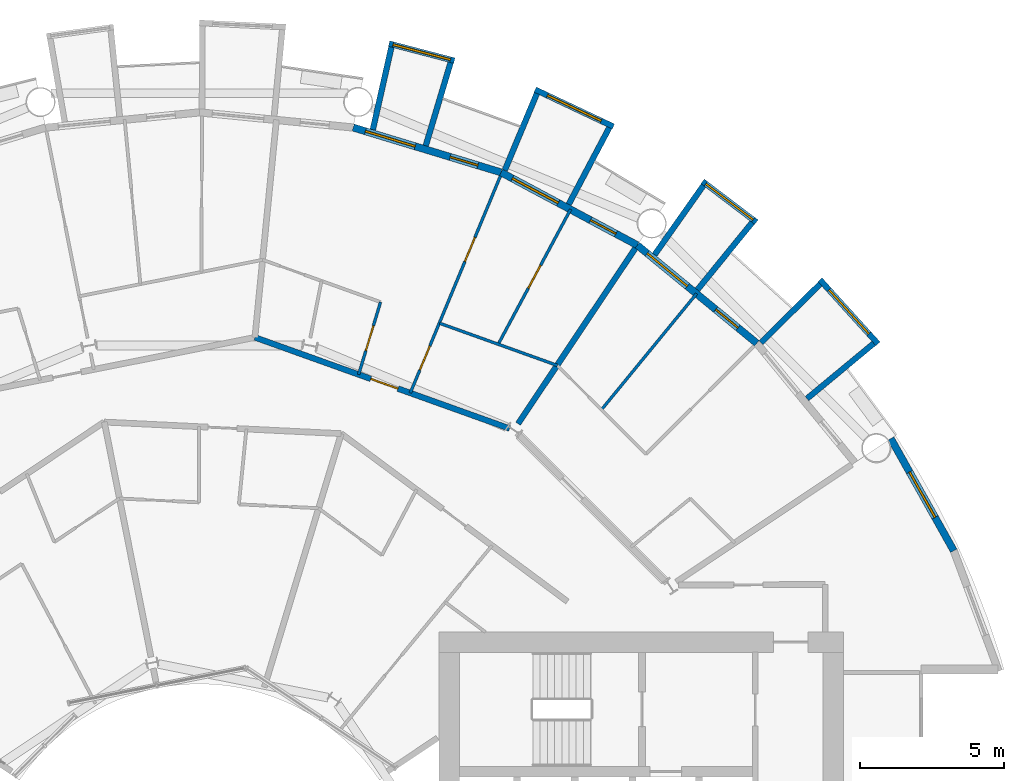
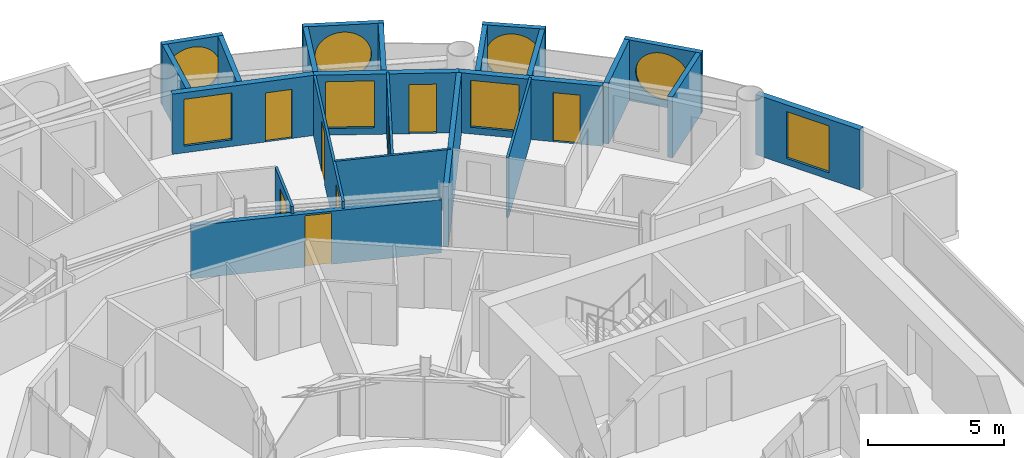
# One storey, part 22 of 26: 23 walls, 8 doors, 8 windows, 16 openings.
"""IFC4 building model written with IfcOpenShell, lengths in metres."""

from ifc_helpers import new_model, si_unit, direction, frame, frame_2d, origin, place, context, subcontext, project, spatial, rectangle, circle, extrude, material, layer, layer_set, type_object, element, fill, save


model = new_model("IFC4")

# Units and contexts
model_context = context("Model", 3, precision=1e-05, world=origin(), true_north=direction((0.0, 1.0)))
body_context = subcontext(model_context, "Body", "Model", "MODEL_VIEW")
ifc_project = project(units=[si_unit("LENGTHUNIT", "METRE"), si_unit("AREAUNIT", "SQUARE_METRE"), si_unit("VOLUMEUNIT", "CUBIC_METRE"), si_unit("PLANEANGLEUNIT", "RADIAN"), si_unit("MASSUNIT", "GRAM", prefix="KILO")], contexts=[model_context])

# Site, building, storey
site_placement = place(None, origin())
site = spatial("IfcSite", under=ifc_project, at=site_placement, CompositionType="ELEMENT")
building_placement = place(site_placement, origin())
building = spatial("IfcBuilding", under=site, at=building_placement, Name="Maasbend Ring Residences", CompositionType="ELEMENT")
storey_placement = place(building_placement, frame((0.0, 0.0, 66.64990234375)))
storey = spatial("IfcBuildingStorey", under=building, at=storey_placement, Name="L18", CompositionType="ELEMENT", Elevation=66.64990234375)

# Wall, opening, door
ifc_material_1 = material(Name="Concrete C30/37", Category="concrete")
ifc_layer_1 = layer(ifc_material_1, 0.199951171875)
ifc_layer_set_1 = layer_set([ifc_layer_1], Name="Concrete C30/37")
wall_type_1 = type_object("IfcWallType", Name="CORRIDOR WALL 200 CONCRETE", PredefinedType="PARTITIONING", material=ifc_layer_set_1)
wall_1_placement = place(storey_placement, frame((1.924072265625, 19.5048828125, 0.0), z_axis=(0.0, 0.0, 1.0), x_axis=(0.941497449807, -0.337020106237, 0.0)))
wall_1 = element("IfcWall", 1, at=wall_1_placement, inside=storey, type_object=wall_type_1, Name="U-L18-w106", PredefinedType="PARTITIONING", context=body_context, shape_type="SweptSolid", body=[
    extrude(rectangle(XDim=9.36376953125, YDim=0.199951171875, at=frame_2d((4.681884765625, 0.0))), origin(), (0.0, 0.0, 1.0), 2.380126953125),
])
opening_1_placement = place(wall_1_placement, frame((4.259033203125, 0.0, 0.0)))
opening_1 = element("IfcOpeningElement", 2, at=opening_1_placement, cuts=wall_1, Name="Opening D-1805", PredefinedType="OPENING", context=body_context, shape_type="SweptSolid", body=[
    extrude(rectangle(XDim=1.0, YDim=2.300048828125, at=frame_2d((0.5, 1.14990234375))), frame((0.0, 0.10986328125, 0.0), z_axis=(0.0, -1.0, 0.0), x_axis=(1.0, 0.0, 0.0)), (0.0, 0.0, 1.0), 0.219970703125),
])
ifc_material_2 = material(Name="Timber, fire-rated, painted", Category="wood")
door_type_1 = type_object("IfcDoorType", Name="FLAT ENTRANCE DOOR 1000 X 2300 FIRE-RATED", OperationType="NOTDEFINED", PredefinedType="DOOR", material=ifc_material_2)
door_1_placement = place(opening_1_placement, origin())
door_1 = element("IfcDoor", 3, at=door_1_placement, inside=storey, type_object=door_type_1, Name="D-1805", OperationType="SINGLE_SWING_RIGHT", OverallHeight=2.300048828125, OverallWidth=1.0, PredefinedType="DOOR", context=body_context, shape_type="SweptSolid", body=[
    extrude(rectangle(XDim=1.0, YDim=2.300048828125, at=frame_2d((0.5, 1.14990234375))), frame((0.0, 0.02490234375, 0.0), z_axis=(0.0, -1.0, 0.0), x_axis=(1.0, 0.0, 0.0)), (0.0, 0.0, 1.0), 0.050048828125),
])
fill(opening_1, door_1)

# Wall, opening, window
ifc_material_3 = material(Name="Pale anodised aluminium panel", Category="aluminium")
ifc_layer_2 = layer(ifc_material_3, 0.199951171875)
ifc_layer_set_2 = layer_set([ifc_layer_2], Name="EW-BOX")
wall_type_2 = type_object("IfcWallType", Name="EW-BOX", PredefinedType="SOLIDWALL", material=ifc_layer_set_2)
wall_2_placement = place(storey_placement, frame((23.5029296875, 19.281982421875, -0.02978515625), z_axis=(0.0, 0.0, 1.0), x_axis=(-0.671506829416, 0.740998365753, 0.0)))
wall_2 = element("IfcWall", 4, at=wall_2_placement, inside=storey, type_object=wall_type_2, Name="Box front N02", PredefinedType="SOLIDWALL", context=body_context, shape_type="SweptSolid", body=[
    extrude(rectangle(XDim=2.9931640625, YDim=0.199951171875, at=frame_2d((1.49658203125, 0.0))), origin(), (0.0, 0.0, 1.0), 2.72998046875),
])
opening_2_placement = place(wall_2_placement, frame((0.45654296875, 0.0, 0.330078125)))
opening_2 = element("IfcOpeningElement", 5, at=opening_2_placement, cuts=wall_2, Name="Opening W-RD", PredefinedType="OPENING", context=body_context, shape_type="SweptSolid", body=[
    extrude(circle(Radius=1.0400390625, at=frame_2d((1.0400390625, 1.0400390625))), frame((0.0, 0.10986328125, 0.0), z_axis=(0.0, -1.0, 0.0), x_axis=(1.0, 0.0, 0.0)), (0.0, 0.0, 1.0), 0.219970703125),
])
ifc_material_4 = material(Name="Aluminium and clear glass", Category="aluminium")
window_type_1 = type_object("IfcWindowType", Name="W-RD", PartitioningType="SINGLE_PANEL", PredefinedType="WINDOW", material=ifc_material_4)
window_1_placement = place(opening_2_placement, origin())
window_1 = element("IfcWindow", 6, at=window_1_placement, inside=storey, type_object=window_type_1, Name="Round window N02", OverallHeight=2.080078125, OverallWidth=2.080078125, PartitioningType="SINGLE_PANEL", PredefinedType="WINDOW", context=body_context, shape_type="SweptSolid", body=[
    extrude(circle(Radius=1.0400390625, at=frame_2d((1.0400390625, 1.0400390625))), frame((0.0, 0.030029296875, 0.0), z_axis=(0.0, -1.0, 0.0), x_axis=(1.0, 0.0, 0.0)), (0.0, 0.0, 1.0), 0.06005859375),
])
fill(opening_2, window_1)

# Walls
wall_3_placement = place(storey_placement, frame((21.041015625, 17.384033203125, -0.02978515625), z_axis=(0.0, 0.0, 1.0), x_axis=(0.770784861449, 0.63709551667, 0.0)))
element("IfcWall", 7, at=wall_3_placement, inside=storey, type_object=wall_type_2, Name="Box side wall N02 left", PredefinedType="SOLIDWALL", context=body_context, shape_type="SweptSolid", body=[
    extrude(rectangle(XDim=3.005859375, YDim=0.199951171875, at=frame_2d((1.5029296875, 0.0))), origin(), (0.0, 0.0, 1.0), 2.72998046875),
])
wall_4_placement = place(storey_placement, frame((19.449951171875, 19.322998046875, -0.02978515625), z_axis=(0.0, 0.0, 1.0), x_axis=(0.709727076896, 0.704476739375, 0.0)))
element("IfcWall", 8, at=wall_4_placement, inside=storey, type_object=wall_type_2, Name="Box side wall N02 right", PredefinedType="SOLIDWALL", context=body_context, shape_type="SweptSolid", body=[
    extrude(rectangle(XDim=2.883056640625, YDim=0.199951171875, at=frame_2d((1.44140625, 0.0))), origin(), (0.0, 0.0, 1.0), 2.72998046875),
])

# Wall, opening, window
wall_5_placement = place(storey_placement, frame((19.2890625, 23.4970703125, -0.02978515625), z_axis=(0.0, 0.0, 1.0), x_axis=(-0.796842165306, 0.60418752353, 0.0)))
wall_5 = element("IfcWall", 9, at=wall_5_placement, inside=storey, type_object=wall_type_2, Name="Box front N04", PredefinedType="SOLIDWALL", context=body_context, shape_type="SweptSolid", body=[
    extrude(rectangle(XDim=2.3369140625, YDim=0.199951171875, at=frame_2d((1.16845703125, 0.0))), origin(), (0.0, 0.0, 1.0), 2.72998046875),
])
opening_3_placement = place(wall_5_placement, frame((0.128173828125, 0.0, 0.330078125)))
opening_3 = element("IfcOpeningElement", 10, at=opening_3_placement, cuts=wall_5, Name="Opening W-RD", PredefinedType="OPENING", context=body_context, shape_type="SweptSolid", body=[
    extrude(circle(Radius=1.0400390625, at=frame_2d((1.0400390625, 1.0400390625))), frame((0.0, 0.10986328125, 0.0), z_axis=(0.0, -1.0, 0.0), x_axis=(1.0, 0.0, 0.0)), (0.0, 0.0, 1.0), 0.219970703125),
])
window_2_placement = place(opening_3_placement, origin())
window_2 = element("IfcWindow", 11, at=window_2_placement, inside=storey, type_object=window_type_1, Name="Round window N04", OverallHeight=2.080078125, OverallWidth=2.080078125, PartitioningType="SINGLE_PANEL", PredefinedType="WINDOW", context=body_context, shape_type="SweptSolid", body=[
    extrude(circle(Radius=1.0400390625, at=frame_2d((1.0400390625, 1.0400390625))), frame((0.0, 0.030029296875, 0.0), z_axis=(0.0, -1.0, 0.0), x_axis=(1.0, 0.0, 0.0)), (0.0, 0.0, 1.0), 0.06005859375),
])
fill(opening_3, window_2)

# Walls
wall_6_placement = place(storey_placement, frame((17.24609375, 21.155029296875, -0.02978515625), z_axis=(0.0, 0.0, 1.0), x_axis=(0.631741648902, 0.775179004516, 0.0)))
element("IfcWall", 12, at=wall_6_placement, inside=storey, type_object=wall_type_2, Name="Box side wall N04 left", PredefinedType="SOLIDWALL", context=body_context, shape_type="SweptSolid", body=[
    extrude(rectangle(XDim=3.005859375, YDim=0.199951171875, at=frame_2d((1.5029296875, 0.0))), origin(), (0.0, 0.0, 1.0), 2.72998046875),
])
wall_7_placement = place(storey_placement, frame((15.764892578125, 22.3701171875, -0.02978515625), z_axis=(0.0, 0.0, 1.0), x_axis=(0.576274612209, 0.817256123454, 0.0)))
element("IfcWall", 13, at=wall_7_placement, inside=storey, type_object=wall_type_2, Name="Box side wall N04 right", PredefinedType="SOLIDWALL", context=body_context, shape_type="SweptSolid", body=[
    extrude(rectangle(XDim=2.932861328125, YDim=0.199951171875, at=frame_2d((1.46630859375, 0.0))), origin(), (0.0, 0.0, 1.0), 2.72998046875),
])

# Wall, opening, window
wall_8_placement = place(storey_placement, frame((14.3349609375, 26.80810546875, -0.02978515625), z_axis=(0.0, 0.0, 1.0), x_axis=(-0.904000060331, 0.427532327342, 0.0)))
wall_8 = element("IfcWall", 14, at=wall_8_placement, inside=storey, type_object=wall_type_2, Name="Box front N06", PredefinedType="SOLIDWALL", context=body_context, shape_type="SweptSolid", body=[
    extrude(rectangle(XDim=2.993408203125, YDim=0.199951171875, at=frame_2d((1.49658203125, 0.0))), origin(), (0.0, 0.0, 1.0), 2.72998046875),
])
opening_4_placement = place(wall_8_placement, frame((0.45654296875, 0.0, 0.330078125)))
opening_4 = element("IfcOpeningElement", 15, at=opening_4_placement, cuts=wall_8, Name="Opening W-RD", PredefinedType="OPENING", context=body_context, shape_type="SweptSolid", body=[
    extrude(circle(Radius=1.0400390625, at=frame_2d((1.0400390625, 1.0400390625))), frame((0.0, 0.10986328125, 0.0), z_axis=(0.0, -1.0, 0.0), x_axis=(1.0, 0.0, 0.0)), (0.0, 0.0, 1.0), 0.219970703125),
])
window_3_placement = place(opening_4_placement, origin())
window_3 = element("IfcWindow", 16, at=window_3_placement, inside=storey, type_object=window_type_1, Name="Round window N06", OverallHeight=2.080078125, OverallWidth=2.080078125, PartitioningType="SINGLE_PANEL", PredefinedType="WINDOW", context=body_context, shape_type="SweptSolid", body=[
    extrude(circle(Radius=1.0400390625, at=frame_2d((1.0400390625, 1.0400390625))), frame((0.0, 0.030029296875, 0.0), z_axis=(0.0, -1.0, 0.0), x_axis=(1.0, 0.0, 0.0)), (0.0, 0.0, 1.0), 0.06005859375),
])
fill(opening_4, window_3)

# Walls
wall_9_placement = place(storey_placement, frame((12.787109375, 24.113037109375, -0.02978515625), z_axis=(0.0, 0.0, 1.0), x_axis=(0.468365282436, 0.883534924159, 0.0)))
element("IfcWall", 17, at=wall_9_placement, inside=storey, type_object=wall_type_2, Name="Box side wall N06 left", PredefinedType="SOLIDWALL", context=body_context, shape_type="SweptSolid", body=[
    extrude(rectangle(XDim=3.006103515625, YDim=0.199951171875, at=frame_2d((1.5029296875, 0.0))), origin(), (0.0, 0.0, 1.0), 2.72998046875),
])
wall_10_placement = place(storey_placement, frame((10.574951171875, 25.294921875, -0.02978515625), z_axis=(0.0, 0.0, 1.0), x_axis=(0.385697364644, 0.922625353492, 0.0)))
element("IfcWall", 18, at=wall_10_placement, inside=storey, type_object=wall_type_2, Name="Box side wall N06 right", PredefinedType="SOLIDWALL", context=body_context, shape_type="SweptSolid", body=[
    extrude(rectangle(XDim=2.88330078125, YDim=0.199951171875, at=frame_2d((1.441650390625, 0.0))), origin(), (0.0, 0.0, 1.0), 2.72998046875),
])

# Wall, opening, window
wall_11_placement = place(storey_placement, frame((8.827880859375, 29.090087890625, -0.02978515625), z_axis=(0.0, 0.0, 1.0), x_axis=(-0.967377102346, 0.253340762326, 0.0)))
wall_11 = element("IfcWall", 19, at=wall_11_placement, inside=storey, type_object=wall_type_2, Name="Box front N08", PredefinedType="SOLIDWALL", context=body_context, shape_type="SweptSolid", body=[
    extrude(rectangle(XDim=2.3359375, YDim=0.199951171875, at=frame_2d((1.16796875, 0.0))), origin(), (0.0, 0.0, 1.0), 2.72998046875),
])
opening_5_placement = place(wall_11_placement, frame((0.128173828125, 0.0, 0.330078125)))
opening_5 = element("IfcOpeningElement", 20, at=opening_5_placement, cuts=wall_11, Name="Opening W-RD", PredefinedType="OPENING", context=body_context, shape_type="SweptSolid", body=[
    extrude(circle(Radius=1.0400390625, at=frame_2d((1.0400390625, 1.0400390625))), frame((0.0, 0.10986328125, 0.0), z_axis=(0.0, -1.0, 0.0), x_axis=(1.0, 0.0, 0.0)), (0.0, 0.0, 1.0), 0.219970703125),
])
window_4_placement = place(opening_5_placement, origin())
window_4 = element("IfcWindow", 21, at=window_4_placement, inside=storey, type_object=window_type_1, Name="Round window N08", OverallHeight=2.080078125, OverallWidth=2.080078125, PartitioningType="SINGLE_PANEL", PredefinedType="WINDOW", context=body_context, shape_type="SweptSolid", body=[
    extrude(circle(Radius=1.0400390625, at=frame_2d((1.0400390625, 1.0400390625))), frame((0.0, 0.030029296875, 0.0), z_axis=(0.0, -1.0, 0.0), x_axis=(1.0, 0.0, 0.0)), (0.0, 0.0, 1.0), 0.06005859375),
])
fill(opening_5, window_4)

# Walls
wall_12_placement = place(storey_placement, frame((7.8369140625, 26.14404296875, -0.02978515625), z_axis=(0.0, 0.0, 1.0), x_axis=(0.287064767992, 0.957911174889, 0.0)))
element("IfcWall", 22, at=wall_12_placement, inside=storey, type_object=wall_type_2, Name="Box side wall N08 left", PredefinedType="SOLIDWALL", context=body_context, shape_type="SweptSolid", body=[
    extrude(rectangle(XDim=3.00634765625, YDim=0.199951171875, at=frame_2d((1.503173828125, 0.0))), origin(), (0.0, 0.0, 1.0), 2.72998046875),
])
wall_13_placement = place(storey_placement, frame((6.00390625, 26.699951171875, -0.02978515625), z_axis=(0.0, 0.0, 1.0), x_axis=(0.219609259383, 0.975587911566, 0.0)))
element("IfcWall", 23, at=wall_13_placement, inside=storey, type_object=wall_type_2, Name="Box side wall N08 right", PredefinedType="SOLIDWALL", context=body_context, shape_type="SweptSolid", body=[
    extrude(rectangle(XDim=2.9326171875, YDim=0.199951171875, at=frame_2d((1.46630859375, 0.0))), origin(), (0.0, 0.0, 1.0), 2.72998046875),
])

# Wall, openings, door, window
ifc_material_5 = material(Name="Aluminium clad insulated panel", Category="aluminium")
ifc_layer_3 = layer(ifc_material_5, 0.25)
ifc_layer_set_3 = layer_set([ifc_layer_3], Name="EW-GL")
wall_type_3 = type_object("IfcWallType", Name="EW-GL", PredefinedType="SOLIDWALL", material=ifc_layer_set_3)
wall_14_placement = place(storey_placement, frame((19.303955078125, 19.303955078125, 0.0), z_axis=(0.0, 0.0, 1.0), x_axis=(-0.773019449054, 0.634382322723, 0.0)))
wall_14 = element("IfcWall", 24, at=wall_14_placement, inside=storey, type_object=wall_type_3, Name="External wall N02", PredefinedType="SOLIDWALL", context=body_context, shape_type="SweptSolid", body=[
    extrude(rectangle(XDim=5.351806640625, YDim=0.25, at=frame_2d((2.67578125, 0.0))), origin(), (0.0, 0.0, 1.0), 2.7001953125),
])
opening_6_placement = place(wall_14_placement, frame((0.841064453125, 0.0, 0.0)))
opening_6 = element("IfcOpeningElement", 25, at=opening_6_placement, cuts=wall_14, Name="Opening D-LG", PredefinedType="OPENING", context=body_context, shape_type="SweptSolid", body=[
    extrude(rectangle(XDim=1.0, YDim=2.199951171875, at=frame_2d((0.5, 1.10009765625))), frame((0.0, 0.135009765625, 0.0), z_axis=(0.0, -1.0, 0.0), x_axis=(1.0, 0.0, 0.0)), (0.0, 0.0, 1.0), 0.27001953125),
])
opening_7_placement = place(wall_14_placement, frame((3.110595703125, 0.0, 0.300048828125)))
opening_7 = element("IfcOpeningElement", 26, at=opening_7_placement, cuts=wall_14, Name="Opening W-BX", PredefinedType="OPENING", context=body_context, shape_type="SweptSolid", body=[
    extrude(rectangle(XDim=1.800048828125, YDim=2.10009765625, at=frame_2d((0.89990234375, 1.050048828125))), frame((0.0, 0.135009765625, 0.0), z_axis=(0.0, -1.0, 0.0), x_axis=(1.0, 0.0, 0.0)), (0.0, 0.0, 1.0), 0.27001953125),
])
ifc_material_6 = material(Name="Aluminium and clear glass", Category="aluminium")
door_type_2 = type_object("IfcDoorType", Name="D-LG", OperationType="SINGLE_SWING_LEFT", PredefinedType="DOOR", material=ifc_material_6)
door_2_placement = place(opening_6_placement, origin())
door_2 = element("IfcDoor", 27, at=door_2_placement, inside=storey, type_object=door_type_2, Name="Loggia door N03", OperationType="SINGLE_SWING_LEFT", OverallHeight=2.199951171875, OverallWidth=1.0, PredefinedType="DOOR", context=body_context, shape_type="SweptSolid", body=[
    extrude(rectangle(XDim=1.0, YDim=2.199951171875, at=frame_2d((0.5, 1.10009765625))), frame((0.0, 0.02490234375, 0.0), z_axis=(0.0, -1.0, 0.0), x_axis=(1.0, 0.0, 0.0)), (0.0, 0.0, 1.0), 0.050048828125),
])
fill(opening_6, door_2)
ifc_material_7 = material(Name="Aluminium and clear glass", Category="aluminium")
window_type_2 = type_object("IfcWindowType", Name="W-BX", PartitioningType="DOUBLE_PANEL_VERTICAL", PredefinedType="WINDOW", material=ifc_material_7)
window_5_placement = place(opening_7_placement, origin())
window_5 = element("IfcWindow", 28, at=window_5_placement, inside=storey, type_object=window_type_2, Name="Window N04 room to box", OverallHeight=2.10009765625, OverallWidth=1.800048828125, PartitioningType="SINGLE_PANEL", PredefinedType="WINDOW", context=body_context, shape_type="SweptSolid", body=[
    extrude(rectangle(XDim=1.800048828125, YDim=2.10009765625, at=frame_2d((0.89990234375, 1.050048828125))), frame((0.0, 0.030029296875, 0.0), z_axis=(0.0, -1.0, 0.0), x_axis=(1.0, 0.0, 0.0)), (0.0, 0.0, 1.0), 0.06005859375),
])
fill(opening_7, window_5)

wall_15_placement = place(storey_placement, frame((15.1669921875, 22.698974609375, 0.0), z_axis=(0.0, 0.0, 1.0), x_axis=(-0.881915646801, 0.471407246368, 0.0)))
wall_15 = element("IfcWall", 29, at=wall_15_placement, inside=storey, type_object=wall_type_3, Name="External wall N03", PredefinedType="SOLIDWALL", context=body_context, shape_type="SweptSolid", body=[
    extrude(rectangle(XDim=5.35205078125, YDim=0.25, at=frame_2d((2.676025390625, 0.0))), origin(), (0.0, 0.0, 1.0), 2.7001953125),
])
opening_8_placement = place(wall_15_placement, frame((0.841064453125, 0.0, 0.0)))
opening_8 = element("IfcOpeningElement", 30, at=opening_8_placement, cuts=wall_15, Name="Opening D-LG", PredefinedType="OPENING", context=body_context, shape_type="SweptSolid", body=[
    extrude(rectangle(XDim=1.0, YDim=2.199951171875, at=frame_2d((0.5, 1.10009765625))), frame((0.0, 0.135009765625, 0.0), z_axis=(0.0, -1.0, 0.0), x_axis=(1.0, 0.0, 0.0)), (0.0, 0.0, 1.0), 0.27001953125),
])
opening_9_placement = place(wall_15_placement, frame((3.110595703125, 0.0, 0.300048828125)))
opening_9 = element("IfcOpeningElement", 31, at=opening_9_placement, cuts=wall_15, Name="Opening W-BX", PredefinedType="OPENING", context=body_context, shape_type="SweptSolid", body=[
    extrude(rectangle(XDim=1.800048828125, YDim=2.10009765625, at=frame_2d((0.89990234375, 1.050048828125))), frame((0.0, 0.135009765625, 0.0), z_axis=(0.0, -1.0, 0.0), x_axis=(1.0, 0.0, 0.0)), (0.0, 0.0, 1.0), 0.27001953125),
])
door_3_placement = place(opening_8_placement, origin())
door_3 = element("IfcDoor", 32, at=door_3_placement, inside=storey, type_object=door_type_2, Name="Loggia door N05", OperationType="SINGLE_SWING_LEFT", OverallHeight=2.199951171875, OverallWidth=1.0, PredefinedType="DOOR", context=body_context, shape_type="SweptSolid", body=[
    extrude(rectangle(XDim=1.0, YDim=2.199951171875, at=frame_2d((0.5, 1.10009765625))), frame((0.0, 0.02490234375, 0.0), z_axis=(0.0, -1.0, 0.0), x_axis=(1.0, 0.0, 0.0)), (0.0, 0.0, 1.0), 0.050048828125),
])
fill(opening_8, door_3)
window_6_placement = place(opening_9_placement, origin())
window_6 = element("IfcWindow", 33, at=window_6_placement, inside=storey, type_object=window_type_2, Name="Window N06 room to box", OverallHeight=2.10009765625, OverallWidth=1.800048828125, PartitioningType="SINGLE_PANEL", PredefinedType="WINDOW", context=body_context, shape_type="SweptSolid", body=[
    extrude(rectangle(XDim=1.800048828125, YDim=2.10009765625, at=frame_2d((0.89990234375, 1.050048828125))), frame((0.0, 0.030029296875, 0.0), z_axis=(0.0, -1.0, 0.0), x_axis=(1.0, 0.0, 0.0)), (0.0, 0.0, 1.0), 0.06005859375),
])
fill(opening_9, window_6)

wall_16_placement = place(storey_placement, frame((10.447021484375, 25.221923828125, 0.0), z_axis=(0.0, 0.0, 1.0), x_axis=(-0.956965678721, 0.290201119486, 0.0)))
wall_16 = element("IfcWall", 34, at=wall_16_placement, inside=storey, type_object=wall_type_3, Name="External wall N04", PredefinedType="SOLIDWALL", context=body_context, shape_type="SweptSolid", body=[
    extrude(rectangle(XDim=5.351318359375, YDim=0.25, at=frame_2d((2.67578125, 0.0))), origin(), (0.0, 0.0, 1.0), 2.7001953125),
])
opening_10_placement = place(wall_16_placement, frame((0.841064453125, 0.0, 0.0)))
opening_10 = element("IfcOpeningElement", 35, at=opening_10_placement, cuts=wall_16, Name="Opening D-LG", PredefinedType="OPENING", context=body_context, shape_type="SweptSolid", body=[
    extrude(rectangle(XDim=1.0, YDim=2.199951171875, at=frame_2d((0.5, 1.10009765625))), frame((0.0, 0.135009765625, 0.0), z_axis=(0.0, -1.0, 0.0), x_axis=(1.0, 0.0, 0.0)), (0.0, 0.0, 1.0), 0.27001953125),
])
opening_11_placement = place(wall_16_placement, frame((3.110595703125, 0.0, 0.300048828125)))
opening_11 = element("IfcOpeningElement", 36, at=opening_11_placement, cuts=wall_16, Name="Opening W-BX", PredefinedType="OPENING", context=body_context, shape_type="SweptSolid", body=[
    extrude(rectangle(XDim=1.800048828125, YDim=2.10009765625, at=frame_2d((0.89990234375, 1.050048828125))), frame((0.0, 0.135009765625, 0.0), z_axis=(0.0, -1.0, 0.0), x_axis=(1.0, 0.0, 0.0)), (0.0, 0.0, 1.0), 0.27001953125),
])
door_4_placement = place(opening_10_placement, origin())
door_4 = element("IfcDoor", 37, at=door_4_placement, inside=storey, type_object=door_type_2, Name="Loggia door N07", OperationType="SINGLE_SWING_LEFT", OverallHeight=2.199951171875, OverallWidth=1.0, PredefinedType="DOOR", context=body_context, shape_type="SweptSolid", body=[
    extrude(rectangle(XDim=1.0, YDim=2.199951171875, at=frame_2d((0.5, 1.10009765625))), frame((0.0, 0.02490234375, 0.0), z_axis=(0.0, -1.0, 0.0), x_axis=(1.0, 0.0, 0.0)), (0.0, 0.0, 1.0), 0.050048828125),
])
fill(opening_10, door_4)
window_7_placement = place(opening_11_placement, origin())
window_7 = element("IfcWindow", 38, at=window_7_placement, inside=storey, type_object=window_type_2, Name="Window N08 room to box", OverallHeight=2.10009765625, OverallWidth=1.800048828125, PartitioningType="SINGLE_PANEL", PredefinedType="WINDOW", context=body_context, shape_type="SweptSolid", body=[
    extrude(rectangle(XDim=1.800048828125, YDim=2.10009765625, at=frame_2d((0.89990234375, 1.050048828125))), frame((0.0, 0.030029296875, 0.0), z_axis=(0.0, -1.0, 0.0), x_axis=(1.0, 0.0, 0.0)), (0.0, 0.0, 1.0), 0.06005859375),
])
fill(opening_11, window_7)

# Wall, opening, window
ifc_material_8 = material(Name="Aluminium clad insulated panel", Category="aluminium")
ifc_layer_4 = layer(ifc_material_8, 0.25)
ifc_layer_set_4 = layer_set([ifc_layer_4], Name="EW-HORN")
wall_type_4 = type_object("IfcWallType", Name="EW-HORN", PredefinedType="SOLIDWALL", material=ifc_layer_set_4)
wall_17_placement = place(storey_placement, frame((26.126953125, 12.116943359375, 0.0), z_axis=(0.0, 0.0, 1.0), x_axis=(-0.489696356642, 0.871893042919, 0.0)))
wall_17 = element("IfcWall", 39, at=wall_17_placement, inside=storey, type_object=wall_type_4, Name="Horn wall 1.2", PredefinedType="SOLIDWALL", context=body_context, shape_type="SweptSolid", body=[
    extrude(rectangle(XDim=4.45361328125, YDim=0.25, at=frame_2d((2.226806640625, 0.0))), origin(), (0.0, 0.0, 1.0), 2.7001953125),
])
opening_12_placement = place(wall_17_placement, frame((1.32666015625, 0.0, 0.300048828125)))
opening_12 = element("IfcOpeningElement", 40, at=opening_12_placement, cuts=wall_17, Name="Opening W-BX", PredefinedType="OPENING", context=body_context, shape_type="SweptSolid", body=[
    extrude(rectangle(XDim=1.800048828125, YDim=2.10009765625, at=frame_2d((0.89990234375, 1.050048828125))), frame((0.0, 0.135009765625, 0.0), z_axis=(0.0, -1.0, 0.0), x_axis=(1.0, 0.0, 0.0)), (0.0, 0.0, 1.0), 0.27001953125),
])
window_8_placement = place(opening_12_placement, origin())
window_8 = element("IfcWindow", 41, at=window_8_placement, inside=storey, type_object=window_type_2, Name="Horn window 1.2", OverallHeight=2.10009765625, OverallWidth=1.800048828125, PartitioningType="SINGLE_PANEL", PredefinedType="WINDOW", context=body_context, shape_type="SweptSolid", body=[
    extrude(rectangle(XDim=1.800048828125, YDim=2.10009765625, at=frame_2d((0.89990234375, 1.050048828125))), frame((0.0, 0.030029296875, 0.0), z_axis=(0.0, -1.0, 0.0), x_axis=(1.0, 0.0, 0.0)), (0.0, 0.0, 1.0), 0.06005859375),
])
fill(opening_12, window_8)

# Wall, opening, door
ifc_material_9 = material(Name="Gypsum board on steel studs", Category="steel")
ifc_layer_5 = layer(ifc_material_9, 0.10009765625)
ifc_layer_set_5 = layer_set([ifc_layer_5], Name="PARTITION 100 GYPSUM")
wall_type_5 = type_object("IfcWallType", Name="PARTITION 100 GYPSUM", PredefinedType="PARTITIONING", material=ifc_layer_set_5)
wall_18_placement = place(storey_placement, frame((5.512939453125, 18.219970703125, 0.0), z_axis=(0.0, 0.0, 1.0), x_axis=(0.289456951726, 0.957191032709, 0.0)))
wall_18 = element("IfcWall", 42, at=wall_18_placement, inside=storey, type_object=wall_type_5, Name="U-L18-w071", PredefinedType="PARTITIONING", context=body_context, shape_type="SweptSolid", body=[
    extrude(rectangle(XDim=2.622314453125, YDim=0.10009765625, at=frame_2d((1.31103515625, 0.0))), origin(), (0.0, 0.0, 1.0), 2.7001953125),
])
opening_13_placement = place(wall_18_placement, frame((0.862060546875, 0.0, 0.0)))
opening_13 = element("IfcOpeningElement", 43, at=opening_13_placement, cuts=wall_18, Name="Opening D-1807", PredefinedType="OPENING", context=body_context, shape_type="SweptSolid", body=[
    extrude(rectangle(XDim=0.89990234375, YDim=2.300048828125, at=frame_2d((0.449951171875, 1.14990234375))), frame((0.0, 0.06005859375, 0.0), z_axis=(0.0, -1.0, 0.0), x_axis=(1.0, 0.0, 0.0)), (0.0, 0.0, 1.0), 0.1201171875),
])
ifc_material_10 = material(Name="Timber, painted", Category="wood")
door_type_3 = type_object("IfcDoorType", Name="INTERNAL DOOR 900 X 2300", OperationType="NOTDEFINED", PredefinedType="DOOR", material=ifc_material_10)
door_5_placement = place(opening_13_placement, origin())
door_5 = element("IfcDoor", 44, at=door_5_placement, inside=storey, type_object=door_type_3, Name="D-1807", OperationType="SINGLE_SWING_RIGHT", OverallHeight=2.300048828125, OverallWidth=0.89990234375, PredefinedType="DOOR", context=body_context, shape_type="SweptSolid", body=[
    extrude(rectangle(XDim=0.89990234375, YDim=2.300048828125, at=frame_2d((0.449951171875, 1.14990234375))), frame((0.0, 0.02490234375, 0.0), z_axis=(0.0, -1.0, 0.0), x_axis=(1.0, 0.0, 0.0)), (0.0, 0.0, 1.0), 0.050048828125),
])
fill(opening_13, door_5)

# Wall, openings, doors
wall_19_placement = place(storey_placement, frame((7.302001953125, 17.580078125, 0.0), z_axis=(0.0, 0.0, 1.0), x_axis=(0.383616168183, 0.923492628833, 0.0)))
wall_19 = element("IfcWall", 45, at=wall_19_placement, inside=storey, type_object=wall_type_5, Name="U-L18-w074", PredefinedType="PARTITIONING", context=body_context, shape_type="SweptSolid", body=[
    extrude(rectangle(XDim=8.138427734375, YDim=0.10009765625, at=frame_2d((4.0693359375, 0.0))), origin(), (0.0, 0.0, 1.0), 2.7001953125),
])
opening_14_placement = place(wall_19_placement, frame((0.861083984375, 0.0, 0.0)))
opening_14 = element("IfcOpeningElement", 46, at=opening_14_placement, cuts=wall_19, Name="Opening D-1808", PredefinedType="OPENING", context=body_context, shape_type="SweptSolid", body=[
    extrude(rectangle(XDim=0.89990234375, YDim=2.300048828125, at=frame_2d((0.449951171875, 1.14990234375))), frame((0.0, 0.06005859375, 0.0), z_axis=(0.0, -1.0, 0.0), x_axis=(1.0, 0.0, 0.0)), (0.0, 0.0, 1.0), 0.1201171875),
])
opening_15_placement = place(wall_19_placement, frame((4.930908203125, 0.0, 0.0)))
opening_15 = element("IfcOpeningElement", 47, at=opening_15_placement, cuts=wall_19, Name="Opening D-1809", PredefinedType="OPENING", context=body_context, shape_type="SweptSolid", body=[
    extrude(rectangle(XDim=0.89990234375, YDim=2.300048828125, at=frame_2d((0.449951171875, 1.14990234375))), frame((0.0, 0.06005859375, 0.0), z_axis=(0.0, -1.0, 0.0), x_axis=(1.0, 0.0, 0.0)), (0.0, 0.0, 1.0), 0.1201171875),
])
door_6_placement = place(opening_14_placement, origin())
door_6 = element("IfcDoor", 48, at=door_6_placement, inside=storey, type_object=door_type_3, Name="D-1808", OperationType="SINGLE_SWING_LEFT", OverallHeight=2.300048828125, OverallWidth=0.89990234375, PredefinedType="DOOR", context=body_context, shape_type="SweptSolid", body=[
    extrude(rectangle(XDim=0.89990234375, YDim=2.300048828125, at=frame_2d((0.449951171875, 1.14990234375))), frame((0.0, 0.02490234375, 0.0), z_axis=(0.0, -1.0, 0.0), x_axis=(1.0, 0.0, 0.0)), (0.0, 0.0, 1.0), 0.050048828125),
])
fill(opening_14, door_6)
door_7_placement = place(opening_15_placement, origin())
door_7 = element("IfcDoor", 49, at=door_7_placement, inside=storey, type_object=door_type_3, Name="D-1809", OperationType="SINGLE_SWING_RIGHT", OverallHeight=2.300048828125, OverallWidth=0.89990234375, PredefinedType="DOOR", context=body_context, shape_type="SweptSolid", body=[
    extrude(rectangle(XDim=0.89990234375, YDim=2.300048828125, at=frame_2d((0.449951171875, 1.14990234375))), frame((0.0, 0.02490234375, 0.0), z_axis=(0.0, -1.0, 0.0), x_axis=(1.0, 0.0, 0.0)), (0.0, 0.0, 1.0), 0.050048828125),
])
fill(opening_15, door_7)

# Wall, opening, door
wall_20_placement = place(storey_placement, frame((10.34912109375, 19.27197265625, 0.0), z_axis=(0.0, 0.0, 1.0), x_axis=(0.472967735543, 0.881079747319, 0.0)))
wall_20 = element("IfcWall", 50, at=wall_20_placement, inside=storey, type_object=wall_type_5, Name="U-L18-w079", PredefinedType="PARTITIONING", context=body_context, shape_type="SweptSolid", body=[
    extrude(rectangle(XDim=5.30029296875, YDim=0.10009765625, at=frame_2d((2.650146484375, 0.0))), origin(), (0.0, 0.0, 1.0), 2.7001953125),
])
opening_16_placement = place(wall_20_placement, frame((2.199951171875, 0.0, 0.0)))
opening_16 = element("IfcOpeningElement", 51, at=opening_16_placement, cuts=wall_20, Name="Opening D-1810", PredefinedType="OPENING", context=body_context, shape_type="SweptSolid", body=[
    extrude(rectangle(XDim=0.89990234375, YDim=2.300048828125, at=frame_2d((0.449951171875, 1.14990234375))), frame((0.0, 0.06005859375, 0.0), z_axis=(0.0, -1.0, 0.0), x_axis=(1.0, 0.0, 0.0)), (0.0, 0.0, 1.0), 0.1201171875),
])
door_8_placement = place(opening_16_placement, origin())
door_8 = element("IfcDoor", 52, at=door_8_placement, inside=storey, type_object=door_type_3, Name="D-1810", OperationType="SINGLE_SWING_RIGHT", OverallHeight=2.300048828125, OverallWidth=0.89990234375, PredefinedType="DOOR", context=body_context, shape_type="SweptSolid", body=[
    extrude(rectangle(XDim=0.89990234375, YDim=2.300048828125, at=frame_2d((0.449951171875, 1.14990234375))), frame((0.0, 0.02490234375, 0.0), z_axis=(0.0, -1.0, 0.0), x_axis=(1.0, 0.0, 0.0)), (0.0, 0.0, 1.0), 0.050048828125),
])
fill(opening_16, door_8)

# Walls
wall_21_placement = place(storey_placement, frame((13.927001953125, 17.00390625, 0.0), z_axis=(0.0, 0.0, 1.0), x_axis=(0.633774976367, 0.773517471898, 0.0)))
element("IfcWall", 53, at=wall_21_placement, inside=storey, type_object=wall_type_5, Name="U-L18-w084", PredefinedType="PARTITIONING", context=body_context, shape_type="SweptSolid", body=[
    extrude(rectangle(XDim=5.19580078125, YDim=0.10009765625, at=frame_2d((2.597900390625, 0.0))), origin(), (0.0, 0.0, 1.0), 2.7001953125),
])
wall_22_placement = place(storey_placement, frame((8.318115234375, 19.99609375, 0.0), z_axis=(0.0, 0.0, 1.0), x_axis=(0.941370462946, -0.337374645598, 0.0)))
element("IfcWall", 54, at=wall_22_placement, inside=storey, type_object=wall_type_5, Name="U-L18-w113", PredefinedType="PARTITIONING", context=body_context, shape_type="SweptSolid", body=[
    extrude(rectangle(XDim=4.333984375, YDim=0.10009765625, at=frame_2d((2.1669921875, 0.0))), origin(), (0.0, 0.0, 1.0), 2.7001953125),
])
ifc_material_11 = material(Name="Concrete C30/37", Category="concrete")
ifc_layer_6 = layer(ifc_material_11, 0.199951171875)
ifc_layer_set_6 = layer_set([ifc_layer_6], Name="Concrete C30/37")
wall_type_6 = type_object("IfcWallType", Name="PARTY WALL 200 CONCRETE", PredefinedType="PARTITIONING", material=ifc_layer_set_6)
wall_23_placement = place(storey_placement, frame((11.034912109375, 16.514892578125, 0.0), z_axis=(0.0, 0.0, 1.0), x_axis=(0.555516661303, 0.831505405283, 0.0)))
element("IfcWall", 55, at=wall_23_placement, inside=storey, type_object=wall_type_6, Name="U-L18-w080", PredefinedType="PARTITIONING", context=body_context, shape_type="SweptSolid", body=[
    extrude(rectangle(XDim=7.31201171875, YDim=0.199951171875, at=frame_2d((3.656005859375, 0.0))), origin(), (0.0, 0.0, 1.0), 2.7001953125),
])

save(model, "model.ifc")
